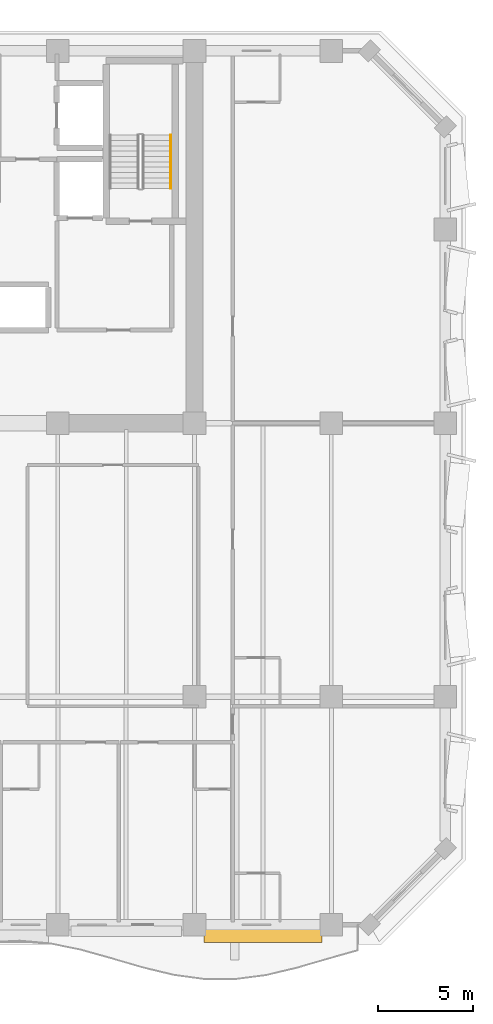
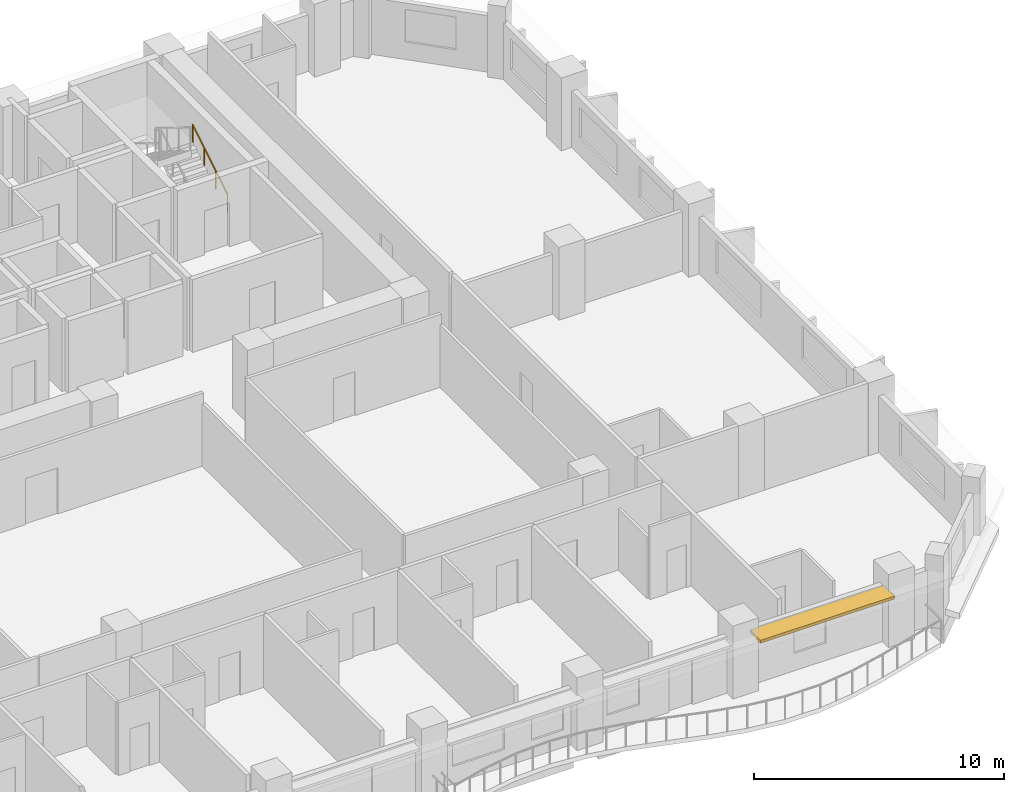
# One storey, part 15 of 15: 1 railing, 1 shading device.
"""IFC4 building model written with IfcOpenShell, lengths in metres."""

from ifc_helpers import new_model, si_unit, direction, frame, origin, origin_2d, place, context, subcontext, project, spatial, rectangle, extrude, material, layer, layer_set, type_object, element, save


model = new_model("IFC4")

# Units and contexts
model_context = context("Model", 3, precision=1e-05, world=origin(), true_north=direction((0.0, 1.0)))
body_context = subcontext(model_context, "Body", "Model", "MODEL_VIEW")
ifc_project = project(units=[si_unit("LENGTHUNIT", "METRE"), si_unit("AREAUNIT", "SQUARE_METRE"), si_unit("VOLUMEUNIT", "CUBIC_METRE"), si_unit("PLANEANGLEUNIT", "RADIAN"), si_unit("MASSUNIT", "GRAM", prefix="KILO")], contexts=[model_context])

# Site, building, storey
site_placement = place(None, origin())
site = spatial("IfcSite", under=ifc_project, at=site_placement, CompositionType="ELEMENT")
building_placement = place(site_placement, origin())
building = spatial("IfcBuilding", under=site, at=building_placement, Name="Kaelvorn Grand Hotel", CompositionType="ELEMENT")
storey_placement = place(building_placement, frame((0.0, 0.0, 158.14990234375)))
storey = spatial("IfcBuildingStorey", under=building, at=storey_placement, Name="L38", CompositionType="ELEMENT", Elevation=158.14990234375)

# Railing
ifc_material_1 = material(Name="Stainless Steel", Category="steel")
railing_type = type_object("IfcRailingType", Name="RL-HANDRAIL-900", PredefinedType="HANDRAIL", material=ifc_material_1)
railing_placement = place(storey_placement, frame((66.550048828125, 41.760009765625, 0.1728515625)))
element("IfcRailing", 1, at=railing_placement, inside=storey, type_object=railing_type, Name="L38 ST3 stair handrail 1", PredefinedType="HANDRAIL", context=body_context, shape_type="SweptSolid", body=[
    extrude(rectangle(XDim=0.048095703125, YDim=0.048095703125, at=origin_2d()), frame((0.0, 0.0, 0.8759765625), z_axis=(0.0, 0.851089632645, 0.525020415988), x_axis=(-1.0, 0.0, 0.0)), (0.0, 0.0, 1.0), 3.2900390625),
    extrude(rectangle(XDim=0.0419921875, YDim=0.0419921875, at=origin_2d()), origin(), (0.0, 0.0, 1.0), 0.851806640625),
    extrude(rectangle(XDim=0.0419921875, YDim=0.0419921875, at=origin_2d()), frame((0.0, 0.933349609375, 0.57568359375)), (0.0, 0.0, 1.0), 0.851806640625),
    extrude(rectangle(XDim=0.0419921875, YDim=0.0419921875, at=origin_2d()), frame((0.0, 1.86669921875, 1.151611328125)), (0.0, 0.0, 1.0), 0.851806640625),
    extrude(rectangle(XDim=0.0419921875, YDim=0.0419921875, at=origin_2d()), frame((0.0, 2.800048828125, 1.727294921875)), (0.0, 0.0, 1.0), 0.851806640625),
])

# Shading device
ifc_material_2 = material(Name="Precast concrete C45/55", Category="concrete")
ifc_layer = layer(ifc_material_2, 0.139892578125)
ifc_layer_set = layer_set([ifc_layer], Name="Precast concrete C45/55")
shading_device_type = type_object("IfcShadingDeviceType", Name="SHD-SUNSHADE-850", PredefinedType="USERDEFINED", material=ifc_layer_set)
shading_device_placement = place(storey_placement, frame((71.39990234375, 2.4951171875, 2.55029296875), z_axis=(0.0, 0.0, 1.0), x_axis=(1.0, 0.0, 0.0)))
element("IfcShadingDevice", 2, at=shading_device_placement, inside=storey, type_object=shading_device_type, Name="L38 Horizontal Concrete Sunshade Band SS-10", ObjectType="SUNSHADE", PredefinedType="USERDEFINED", context=body_context, shape_type="SweptSolid", body=[
    extrude(rectangle(XDim=6.199951171875, YDim=0.85009765625, at=origin_2d()), origin(), (0.0, 0.0, 1.0), 0.139892578125),
])

save(model, "model.ifc")
